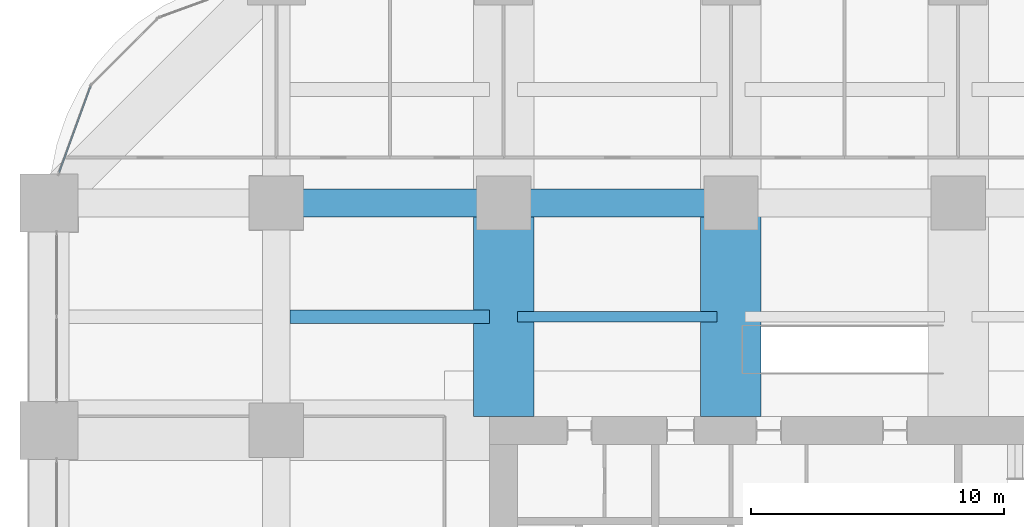
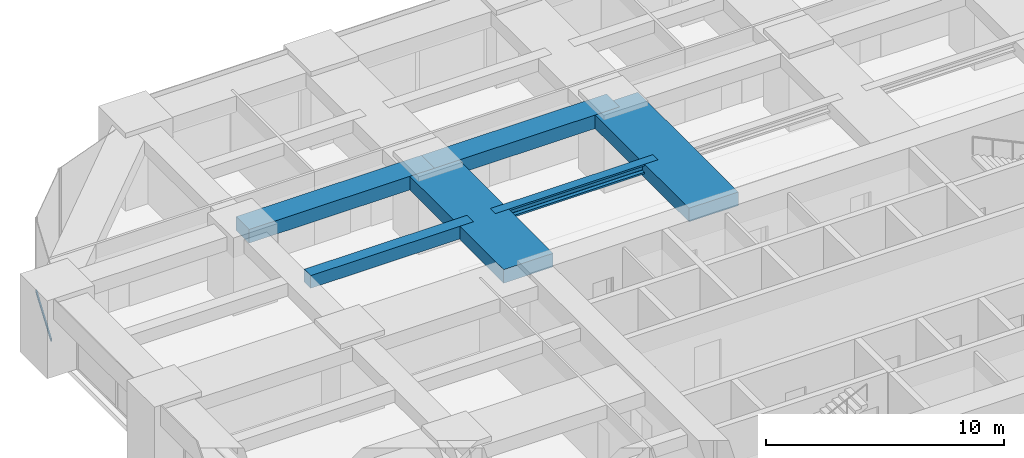
# One storey, part 26 of 44: 6 beams, 1 member, 1 element without a shape of its own.
"""IFC4 building model written with IfcOpenShell, lengths in metres."""

import ifcopenshell
import ifcopenshell.guid

model = None  # the IFC model being written
_history = None  # IfcOwnerHistory: only IFC2X3 demands one
_inside = {}  # id of a spatial element -> (the spatial element, [elements in it])
_under = {}  # id of a project, library or spatial element -> (it, [spatial elements below it])
_declared = {}  # id of a project -> (the project, [libraries it declares])
_typed = {}  # id of a type object -> (the type object, [elements of that type])
_made_of = {}  # id of a material, layer set ... -> (it, [elements and type objects made of it])


def new_model(schema):
    """Start an empty IFC model of exactly this schema.

    Asked for "IFC4X3", IfcOpenShell would pick the latest addendum, in which some entities
    have other attributes; the version numbers below select the first issue.
    IFC2X3 requires an IfcOwnerHistory on every rooted entity: one is made here for all.
    """
    global model, _history
    if schema == "IFC4X3":
        model = ifcopenshell.file(schema_version=(4, 3, 0, 0))
    else:
        model = ifcopenshell.file(schema=schema)
    _inside.clear()
    _under.clear()
    _declared.clear()
    _typed.clear()
    _made_of.clear()
    _history = None
    if model.schema == "IFC2X3":
        org = make("IfcOrganization", Name="unknown")
        user = make(
            "IfcPersonAndOrganization",
            ThePerson=make("IfcPerson", FamilyName="unknown"),
            TheOrganization=org,
        )
        app = make(
            "IfcApplication",
            ApplicationDeveloper=org,
            Version="unknown",
            ApplicationFullName="unknown",
            ApplicationIdentifier="unknown",
        )
        _history = make(
            "IfcOwnerHistory",
            OwningUser=user,
            OwningApplication=app,
            ChangeAction="ADDED",
            CreationDate=0,
        )
    return model


def make(cls, **values):
    """One entity of the class cls with the attributes given. An attribute that is None is left unset."""
    return model.create_entity(
        cls, **{name: value for name, value in values.items() if value is not None}
    )


def rooted(cls, **values):
    """An entity with a GlobalId (a new one), such as an element, a storey or a relation."""
    return make(cls, GlobalId=ifcopenshell.guid.new(), OwnerHistory=_history, **values)


def si_unit(unit_type, name, prefix=None):
    """IfcSIUnit, for example si_unit("LENGTHUNIT", "METRE", prefix="MILLI")."""
    return make("IfcSIUnit", UnitType=unit_type, Prefix=prefix, Name=name)


def assignment(units):
    """IfcUnitAssignment: the units of a project."""
    return None if units is None else make("IfcUnitAssignment", Units=units)


def point(xyz):
    """IfcCartesianPoint."""
    return None if xyz is None else make("IfcCartesianPoint", Coordinates=xyz)


def direction(xyz):
    """IfcDirection."""
    return None if xyz is None else make("IfcDirection", DirectionRatios=xyz)


def frame(location, z_axis=None, x_axis=None):
    """IfcAxis2Placement3D, a coordinate frame: its origin and axes. An axis left out is left unset."""
    return make(
        "IfcAxis2Placement3D",
        Location=point(location),
        Axis=direction(z_axis),
        RefDirection=direction(x_axis),
    )


def frame_2d(location, x_axis=None):
    """IfcAxis2Placement2D, a coordinate frame in the plane: its origin and x axis."""
    return make(
        "IfcAxis2Placement2D", Location=point(location), RefDirection=direction(x_axis)
    )


def origin():
    """The frame at (0, 0, 0) with its axes left unset."""
    return frame((0.0, 0.0, 0.0))


def origin_2d():
    """The frame at (0, 0) in the plane with its x axis left unset."""
    return frame_2d((0.0, 0.0))


def place(relative_to, where):
    """IfcLocalPlacement: puts the frame where relative to a parent placement (None: the world)."""
    return make(
        "IfcLocalPlacement", PlacementRelTo=relative_to, RelativePlacement=where
    )


def context(
    kind, dimensions, precision=None, world=None, true_north=None, identifier=None
):
    """IfcGeometricRepresentationContext, for example the 3D "Model" context."""
    return make(
        "IfcGeometricRepresentationContext",
        ContextIdentifier=identifier,
        ContextType=kind,
        CoordinateSpaceDimension=dimensions,
        Precision=precision,
        WorldCoordinateSystem=world,
        TrueNorth=true_north,
    )


def subcontext(parent, identifier, kind, view, scale=None):
    """IfcGeometricRepresentationSubContext, for example "Body" below "Model"."""
    return make(
        "IfcGeometricRepresentationSubContext",
        ContextIdentifier=identifier,
        ContextType=kind,
        ParentContext=parent,
        TargetScale=scale,
        TargetView=view,
    )


def project(units=None, contexts=None):
    """IfcProject with its units and contexts."""
    return rooted(
        "IfcProject",
        Name="project",
        RepresentationContexts=contexts,
        UnitsInContext=assignment(units),
    )


def spatial(cls, under=None, at=None, **own):
    """A site, building, storey or space (cls), placed at a placement, below another one or the project."""
    s = rooted(cls, ObjectPlacement=at, **own)
    if under is not None:
        _under.setdefault(under.id(), (under, []))[1].append(s)
    return s


def profile(cls, at=None, kind="AREA", **sizes):
    """A parametric profile (cls). Its sizes go by their IFC names, for example OverallWidth=200.0."""
    return make(cls, ProfileType=kind, Position=at, **sizes)


def rectangle(**sizes):
    """IfcRectangleProfileDef."""
    return profile("IfcRectangleProfileDef", **sizes)


def hollow_rectangle(**sizes):
    """IfcRectangleHollowProfileDef."""
    return profile("IfcRectangleHollowProfileDef", **sizes)


def i_section(**sizes):
    """IfcIShapeProfileDef."""
    return profile("IfcIShapeProfileDef", **sizes)


def extrude(swept, where, along, depth):
    """IfcExtrudedAreaSolid: the profile swept, set in the frame where, extruded along a direction by depth."""
    return make(
        "IfcExtrudedAreaSolid",
        SweptArea=swept,
        Position=where,
        ExtrudedDirection=direction(along),
        Depth=depth,
    )


def shape(context_of_items, identifier, shape_type, items):
    """IfcShapeRepresentation: the items that make up one representation, for example the "Body"."""
    return make(
        "IfcShapeRepresentation",
        ContextOfItems=context_of_items,
        RepresentationIdentifier=identifier,
        RepresentationType=shape_type,
        Items=items,
    )


def material(Name=None, Category=None):
    """IfcMaterial."""
    return make("IfcMaterial", Name=Name, Category=Category)


def material_profile(
    of_material, cross_section, Name=None, Category=None, Priority=None
):
    """IfcMaterialProfile: a cross section and its material."""
    return make(
        "IfcMaterialProfile",
        Name=Name,
        Material=of_material,
        Profile=cross_section,
        Priority=Priority,
        Category=Category,
    )


def profile_set(profiles, Name=None, composite=None):
    """IfcMaterialProfileSet."""
    return make(
        "IfcMaterialProfileSet",
        Name=Name,
        MaterialProfiles=profiles,
        CompositeProfile=composite,
    )


def made_of(thing, what):
    """Note that an element or type object is made of a material, layer set ...; save() writes the relation."""
    if what is not None:
        _made_of.setdefault(what.id(), (what, []))[1].append(thing)
    return thing


def type_object(cls, material=None, **own):
    """A type object (cls), such as IfcWallType, which elements share."""
    return made_of(rooted(cls, **own), material)


def element(
    cls,
    number,
    at=None,
    inside=None,
    cuts=None,
    type_object=None,
    material=None,
    context=None,
    identifier="Body",
    shape_type=None,
    held_by="IfcProductDefinitionShape",
    body=None,
    shapes=None,
    **own,
):
    """One element of the class cls, such as IfcWall. Its Tag is "e" and its number.

    at: its placement. inside: the storey or other place that contains it. cuts: it is an
    opening in that element (IfcRelVoidsElement). A single representation is given by context,
    identifier, shape_type and body (its items); several are given by shapes. held_by: the class
    of the entity that holds the representations. save() writes the other relations.
    """
    e = rooted(cls, Tag="e%d" % number, ObjectPlacement=at, **own)
    if body is not None:
        shapes = [shape(context, identifier, shape_type, body)]
    if shapes is not None:
        e.Representation = make(held_by, Representations=shapes)
    if inside is not None:
        _inside.setdefault(inside.id(), (inside, []))[1].append(e)
    if cuts is not None:
        rooted(
            "IfcRelVoidsElement", RelatingBuildingElement=cuts, RelatedOpeningElement=e
        )
    if type_object is not None:
        _typed.setdefault(type_object.id(), (type_object, []))[1].append(e)
    return made_of(e, material)


def aggregate(whole, parts):
    """IfcRelAggregates: a whole, such as a stair, and the parts it consists of."""
    return rooted("IfcRelAggregates", RelatingObject=whole, RelatedObjects=parts)


def save(model, path):
    """Write the relations noted so far, then the file.

    IfcRelAggregates (storeys below a building ...), IfcRelContainedInSpatialStructure (elements
    in a storey), IfcRelDefinesByType, IfcRelAssociatesMaterial and IfcRelDeclares: one each for
    every whole, place, type object, material and project.
    """
    for whole, parts in _under.values():
        aggregate(whole, parts)
    for where, things in _inside.values():
        rooted(
            "IfcRelContainedInSpatialStructure",
            RelatedElements=things,
            RelatingStructure=where,
        )
    for kind, things in _typed.values():
        rooted("IfcRelDefinesByType", RelatedObjects=things, RelatingType=kind)
    for what, things in _made_of.values():
        rooted("IfcRelAssociatesMaterial", RelatedObjects=things, RelatingMaterial=what)
    for by, libraries in _declared.values():
        rooted("IfcRelDeclares", RelatingContext=by, RelatedDefinitions=libraries)
    model.write(path)


model = new_model("IFC4")

# Units and contexts
model_context = context("Model", 3, precision=1e-05, world=origin(), true_north=direction((0.0, 1.0)))
body_context = subcontext(model_context, "Body", "Model", "MODEL_VIEW")
ifc_project = project(units=[si_unit("LENGTHUNIT", "METRE"), si_unit("AREAUNIT", "SQUARE_METRE"), si_unit("VOLUMEUNIT", "CUBIC_METRE"), si_unit("PLANEANGLEUNIT", "RADIAN"), si_unit("MASSUNIT", "GRAM", prefix="KILO")], contexts=[model_context])

# Site, building, storey
site_placement = place(None, origin())
site = spatial("IfcSite", under=ifc_project, at=site_placement, CompositionType="ELEMENT")
building_placement = place(site_placement, origin())
building = spatial("IfcBuilding", under=site, at=building_placement, Name="Zorevar Civic Tower", CompositionType="ELEMENT")
storey_placement = place(building_placement, frame((0.0, 0.0, 63.800048828125)))
storey = spatial("IfcBuildingStorey", under=building, at=storey_placement, Name="L15", CompositionType="ELEMENT", Elevation=63.800048828125)

# Beams
ifc_material_1 = material(Name="Concrete C50/60", Category="concrete")
ifc_material_profile_1 = material_profile(ifc_material_1, rectangle(XDim=1.10009765625, YDim=0.699951171875, at=origin_2d()), Name="RC 1100x700")
ifc_profile_set_1 = profile_set([ifc_material_profile_1], Name="Concrete C50/60")
beam_type_1 = type_object("IfcBeamType", Name="Beam RC 1100x700", PredefinedType="BEAM", material=ifc_profile_set_1)
for number, where, z_axis, x_axis, name in (
    (1, (9.0, 45.0, 3.39990234375), (1.0, 0.0, 0.0), (0.0, 1.0, 0.0), "Girder L16"),
    (2, (18.0, 45.0, 3.39990234375), (1.0, 0.0, 0.0), (0.0, 1.0, 0.0), "Girder L16"),
):
    element("IfcBeam", number, at=place(storey_placement, frame(where, z_axis=z_axis, x_axis=x_axis)), inside=storey, type_object=beam_type_1, Name=name, PredefinedType="BEAM", context=body_context, shape_type="SweptSolid", body=[
        extrude(rectangle(XDim=1.10009765625, YDim=0.699951171875, at=origin_2d()), origin(), (0.0, 0.0, 1.0), 9.0),
    ])
ifc_material_2 = material(Name="Concrete C50/60", Category="concrete")
ifc_material_profile_2 = material_profile(ifc_material_2, rectangle(XDim=2.39990234375, YDim=0.699951171875, at=origin_2d()), Name="RC 2400x700")
ifc_profile_set_2 = profile_set([ifc_material_profile_2], Name="Concrete C50/60")
beam_type_2 = type_object("IfcBeamType", Name="Beam RC 2400x700", PredefinedType="BEAM", material=ifc_profile_set_2)
for number, where, z_axis, x_axis, name in (
    (3, (18.0, 36.550048828125, 3.39990234375), (0.0, 1.0, 0.0), (-1.0, 0.0, 0.0), "Girder L16"),
    (4, (27.0, 36.550048828125, 3.39990234375), (0.0, 1.0, 0.0), (-1.0, 0.0, 0.0), "Girder L16"),
):
    element("IfcBeam", number, at=place(storey_placement, frame(where, z_axis=z_axis, x_axis=x_axis)), inside=storey, type_object=beam_type_2, Name=name, PredefinedType="BEAM", context=body_context, shape_type="SweptSolid", body=[
        extrude(rectangle(XDim=2.39990234375, YDim=0.699951171875, at=origin_2d()), origin(), (0.0, 0.0, 1.0), 8.449951171875),
    ])
ifc_material_3 = material(Name="Concrete C50/60", Category="concrete")
ifc_material_profile_3 = material_profile(ifc_material_3, rectangle(XDim=0.550048828125, YDim=0.64990234375, at=origin_2d()), Name="RC 550x650")
ifc_profile_set_3 = profile_set([ifc_material_profile_3], Name="Concrete C50/60")
beam_type_3 = type_object("IfcBeamType", Name="Beam RC 550x650", PredefinedType="BEAM", material=ifc_profile_set_3)
beam_1_placement = place(storey_placement, frame((9.550048828125, 40.5, 3.425048828125), z_axis=(1.0, 0.0, 0.0), x_axis=(0.0, 1.0, 0.0)))
element("IfcBeam", 5, at=beam_1_placement, inside=storey, type_object=beam_type_3, Name="Secondary beam L16", PredefinedType="BEAM", context=body_context, shape_type="SweptSolid", body=[
    extrude(rectangle(XDim=0.550048828125, YDim=0.64990234375, at=origin_2d()), origin(), (0.0, 0.0, 1.0), 7.89990234375),
])

# Curtain wall, member
ifc_material_4 = material(Name="Dark grey solar-control glass in black aluminium frame", Category="aluminium")
curtain_wall_type = type_object("IfcCurtainWallType", Name="Curtain wall CW2 low zone", PredefinedType="NOTDEFINED", material=ifc_material_4)
curtain_wall_placement = place(storey_placement, origin())
curtain_wall = element("IfcCurtainWall", 6, at=curtain_wall_placement, inside=storey, type_object=curtain_wall_type, Name="CW2 L15", PredefinedType="NOTDEFINED")
ifc_material_5 = material(Name="Aluminium, black anodised", Category="aluminium")
ifc_material_profile_4 = material_profile(ifc_material_5, hollow_rectangle(XDim=0.06005859375, YDim=0.14990234375, WallThickness=0.00390625, at=origin_2d()), Name="AL 150x60x4")
ifc_profile_set_4 = profile_set([ifc_material_profile_4], Name="Aluminium, black anodised")
member_type = type_object("IfcMemberType", Name="CW2 transom AL 150x60x4", PredefinedType="USERDEFINED", material=ifc_profile_set_4)
member_placement = place(storey_placement, frame((1.64453125, 49.622314453125, 0.030029296875), z_axis=(-0.343047162808, -0.939318180432, 0.0), x_axis=(0.939318180432, -0.343047162808, 0.0)))
member = element("IfcMember", 7, at=member_placement, type_object=member_type, Name="CW2 sill transom", ObjectType="TRANSOM", PredefinedType="USERDEFINED", context=body_context, shape_type="SweptSolid", body=[
    extrude(hollow_rectangle(XDim=0.06005859375, YDim=0.14990234375, WallThickness=0.00390625, at=origin_2d()), origin(), (0.0, 0.0, 1.0), 3.63671875),
])
aggregate(curtain_wall, [member])

# Beam
ifc_material_6 = material(Name="Steel S460M (HISTAR 460)", Category="steel")
ifc_material_profile_5 = material_profile(ifc_material_6, i_section(OverallWidth=0.431884765625, OverallDepth=0.498046875, WebThickness=0.0556640625, FlangeThickness=0.0888671875, FilletRadius=0.014892578125, at=origin_2d()), Name="HD 400x744")
ifc_profile_set_5 = profile_set([ifc_material_profile_5], Name="Steel S460M (HISTAR 460)")
beam_type_4 = type_object("IfcBeamType", Name="Core bay beam HD 400x744", PredefinedType="BEAM", material=ifc_profile_set_5)
beam_2_placement = place(storey_placement, frame((18.550048828125, 40.5, 3.5009765625), z_axis=(1.0, 0.0, 0.0), x_axis=(0.0, 1.0, 0.0)))
element("IfcBeam", 8, at=beam_2_placement, inside=storey, type_object=beam_type_4, Name="Secondary beam L16", PredefinedType="BEAM", context=body_context, shape_type="SweptSolid", body=[
    extrude(i_section(OverallWidth=0.431884765625, OverallDepth=0.498046875, WebThickness=0.0556640625, FlangeThickness=0.0888671875, FilletRadius=0.014892578125, at=origin_2d()), origin(), (0.0, 0.0, 1.0), 7.89990234375),
])

save(model, "model.ifc")
